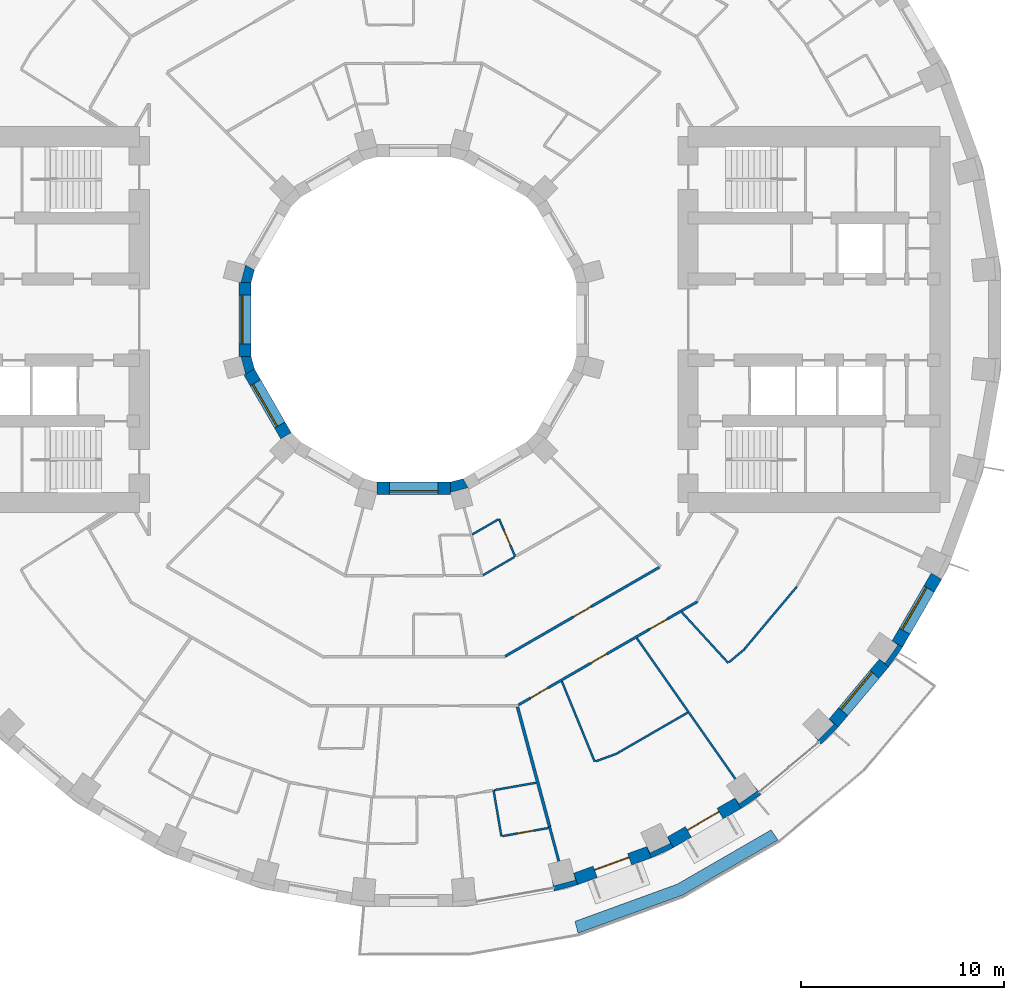
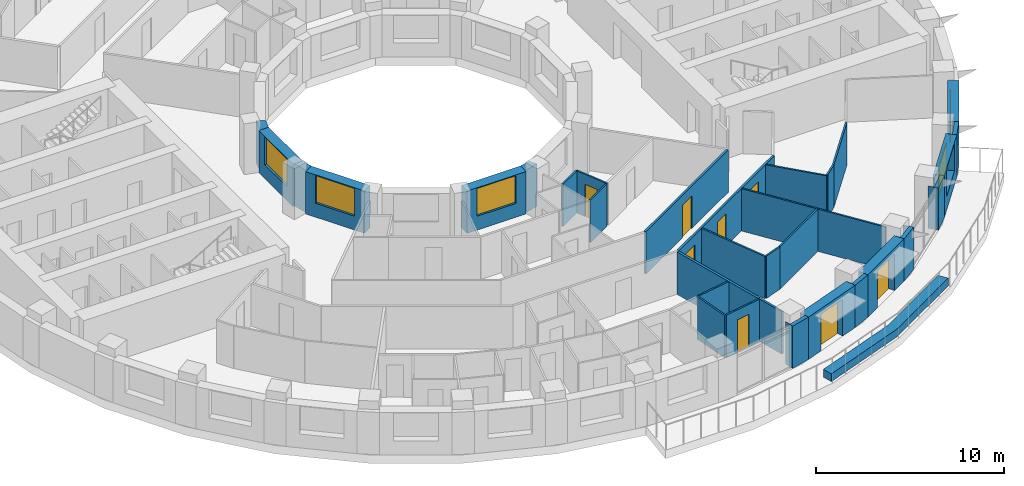
# One storey, part 8 of 16: 33 walls, 8 doors, 5 windows, 13 openings.
"""IFC4 building model written with IfcOpenShell, lengths in metres."""

from ifc_helpers import new_model, si_unit, direction, frame, frame_2d, origin, place, context, subcontext, project, spatial, polyline, rectangle, outline, extrude, material, layer, layer_set, type_object, element, fill, save


model = new_model("IFC4")

# Units and contexts
model_context = context("Model", 3, precision=1e-05, world=origin(), true_north=direction((0.0, 1.0)))
body_context = subcontext(model_context, "Body", "Model", "MODEL_VIEW")
ifc_project = project(units=[si_unit("LENGTHUNIT", "METRE"), si_unit("AREAUNIT", "SQUARE_METRE"), si_unit("VOLUMEUNIT", "CUBIC_METRE"), si_unit("PLANEANGLEUNIT", "RADIAN"), si_unit("MASSUNIT", "GRAM", prefix="KILO")], contexts=[model_context])

# Site, building, storey
site_placement = place(None, origin())
site = spatial("IfcSite", under=ifc_project, at=site_placement, CompositionType="ELEMENT")
building_placement = place(site_placement, origin())
building = spatial("IfcBuilding", under=site, at=building_placement, Name="Saqina Gate Tower", CompositionType="ELEMENT")
storey_placement = place(building_placement, frame((0.0, 0.0, 32.89990234375)))
storey = spatial("IfcBuildingStorey", under=building, at=storey_placement, Name="L08", CompositionType="ELEMENT", Elevation=32.89990234375)

# Walls
ifc_material_1 = material(Name="Brick masonry (red)", Category="masonry")
wall_type_1 = type_object("IfcWallType", Name="BRICK PIER COPING RED", PredefinedType="SOLIDWALL", material=ifc_material_1)
wall_1_placement = place(storey_placement, origin())
element("IfcWall", 1, at=wall_1_placement, inside=storey, type_object=wall_type_1, Name="Pier cap L08 column 29", PredefinedType="SOLIDWALL", context=body_context, shape_type="SweptSolid", body=[
    extrude(outline(polyline([(6.910400390625, -28.11669921875), (8.073974609375, -27.80517578125), (7.86865234375, -27.2412109375), (7.95947265625, -27.57958984375), (6.896728515625, -27.864501953125), (6.80615234375, -27.52587890625), (6.910400390625, -28.11669921875)])), origin(), (0.0, 0.0, 1.0), 2.75),
])
wall_2_placement = place(storey_placement, origin())
element("IfcWall", 2, at=wall_2_placement, inside=storey, type_object=wall_type_1, Name="Pier cap L08 column 30", PredefinedType="SOLIDWALL", context=body_context, shape_type="SweptSolid", body=[
    extrude(outline(polyline([(12.779541015625, -25.980712890625), (12.4794921875, -25.4609375), (12.627685546875, -25.778564453125), (11.630615234375, -26.243408203125), (11.482666015625, -25.92578125), (11.687744140625, -26.48974609375), (12.779541015625, -25.980712890625)])), origin(), (0.0, 0.0, 1.0), 2.75),
])
wall_3_placement = place(storey_placement, origin())
element("IfcWall", 3, at=wall_3_placement, inside=storey, type_object=wall_type_1, Name="Pier cap L08 column 31", PredefinedType="SOLIDWALL", context=body_context, shape_type="SweptSolid", body=[
    extrude(outline(polyline([(16.110107421875, -24.0576171875), (17.096923828125, -23.36669921875), (16.711181640625, -22.9072265625), (16.912109375, -23.194091796875), (16.010986328125, -23.8251953125), (15.81005859375, -23.5380859375), (16.110107421875, -24.0576171875)])), origin(), (0.0, 0.0, 1.0), 2.75),
])
wall_4_placement = place(storey_placement, origin())
element("IfcWall", 4, at=wall_4_placement, inside=storey, type_object=wall_type_1, Name="Pier cap L08 column 32", PredefinedType="SOLIDWALL", context=body_context, shape_type="SweptSolid", body=[
    extrude(outline(polyline([(20.894775390625, -20.04296875), (20.43505859375, -19.6572265625), (20.682861328125, -19.905029296875), (19.905029296875, -20.682861328125), (19.6572265625, -20.43505859375), (20.04296875, -20.894775390625), (20.894775390625, -20.04296875)])), origin(), (0.0, 0.0, 1.0), 2.75),
])
wall_5_placement = place(storey_placement, origin())
element("IfcWall", 5, at=wall_5_placement, inside=storey, type_object=wall_type_1, Name="Pier cap L08 column 33", PredefinedType="SOLIDWALL", context=body_context, shape_type="SweptSolid", body=[
    extrude(outline(polyline([(23.36669921875, -17.096923828125), (24.0576171875, -16.110107421875), (23.5380859375, -15.81005859375), (23.8251953125, -16.010986328125), (23.194091796875, -16.912109375), (22.9072265625, -16.711181640625), (23.36669921875, -17.096923828125)])), origin(), (0.0, 0.0, 1.0), 2.75),
])

# Wall, opening, door
ifc_material_2 = material(Name="Brick masonry (red)", Category="masonry")
ifc_layer_1 = layer(ifc_material_2, 0.60009765625)
ifc_layer_set_1 = layer_set([ifc_layer_1], Name="FW-BRICK-RED")
wall_type_2 = type_object("IfcWallType", Name="FW-BRICK-RED", PredefinedType="SOLIDWALL", material=ifc_layer_set_1)
wall_6_placement = place(storey_placement, frame((7.97119140625, -27.523193359375, 0.0), z_axis=(0.0, 0.0, 1.0), x_axis=(0.939689588564, 0.342028474173, 0.0)))
wall_6 = element("IfcWall", 6, at=wall_6_placement, inside=storey, type_object=wall_type_2, Name="Facade wall L08 facet 29", PredefinedType="SOLIDWALL", context=body_context, shape_type="SweptSolid", body=[
    extrude(rectangle(XDim=3.845947265625, YDim=0.60009765625, at=frame_2d((1.9228515625, 0.0))), origin(), (0.0, 0.0, 1.0), 2.75),
])
opening_1_placement = place(wall_6_placement, frame((1.02294921875, 0.0, 0.0)))
opening_1 = element("IfcOpeningElement", 7, at=opening_1_placement, cuts=wall_6, Name="Opening G01-D80", PredefinedType="OPENING", context=body_context, shape_type="SweptSolid", body=[
    extrude(rectangle(XDim=1.800048828125, YDim=2.39990234375, at=frame_2d((0.89990234375, 1.199951171875))), frame((0.0, 0.31201171875, 0.0), z_axis=(0.0, -1.0, 0.0), x_axis=(1.0, 0.0, 0.0)), (0.0, 0.0, 1.0), 0.6240234375),
])
ifc_material_3 = material(Name="Aluminium glazing", Category="aluminium")
door_type_1 = type_object("IfcDoorType", Name="GD-A", OperationType="DOUBLE_DOOR_SINGLE_SWING", PredefinedType="DOOR", material=ifc_material_3)
door_1_placement = place(opening_1_placement, frame((1.800048828125, 0.0, 0.0), z_axis=(0.0, 0.0, 1.0), x_axis=(-1.0, 0.0, 0.0)))
door_1 = element("IfcDoor", 8, at=door_1_placement, inside=storey, type_object=door_type_1, Name="Terrace door L08 facet 29", OperationType="DOUBLE_DOOR_SINGLE_SWING", OverallHeight=2.39990234375, OverallWidth=1.800048828125, PredefinedType="DOOR", context=body_context, shape_type="SweptSolid", body=[
    extrude(rectangle(XDim=1.800048828125, YDim=2.39990234375, at=frame_2d((0.89990234375, 1.199951171875))), frame((0.0, -0.0751953125, 0.0), z_axis=(0.0, -1.0, 0.0), x_axis=(1.0, 0.0, 0.0)), (0.0, 0.0, 1.0), 0.050048828125),
])
fill(opening_1, door_1)

wall_7_placement = place(storey_placement, frame((12.629638671875, -25.720703125, 0.0), z_axis=(0.0, 0.0, 1.0), x_axis=(0.86603124159, 0.499989888488, 0.0)))
wall_7 = element("IfcWall", 9, at=wall_7_placement, inside=storey, type_object=wall_type_2, Name="Facade wall L08 facet 30", PredefinedType="SOLIDWALL", context=body_context, shape_type="SweptSolid", body=[
    extrude(rectangle(XDim=3.845703125, YDim=0.60009765625, at=frame_2d((1.9228515625, 0.0))), origin(), (0.0, 0.0, 1.0), 2.75),
])
opening_2_placement = place(wall_7_placement, frame((1.02294921875, 0.0, 0.0)))
opening_2 = element("IfcOpeningElement", 10, at=opening_2_placement, cuts=wall_7, Name="Opening G01-D81", PredefinedType="OPENING", context=body_context, shape_type="SweptSolid", body=[
    extrude(rectangle(XDim=1.800048828125, YDim=2.39990234375, at=frame_2d((0.89990234375, 1.199951171875))), frame((0.0, 0.31201171875, 0.0), z_axis=(0.0, -1.0, 0.0), x_axis=(1.0, 0.0, 0.0)), (0.0, 0.0, 1.0), 0.6240234375),
])
door_2_placement = place(opening_2_placement, frame((1.800048828125, 0.0, 0.0), z_axis=(0.0, 0.0, 1.0), x_axis=(-1.0, 0.0, 0.0)))
door_2 = element("IfcDoor", 11, at=door_2_placement, inside=storey, type_object=door_type_1, Name="Terrace door L08 facet 30", OperationType="DOUBLE_DOOR_SINGLE_SWING", OverallHeight=2.39990234375, OverallWidth=1.800048828125, PredefinedType="DOOR", context=body_context, shape_type="SweptSolid", body=[
    extrude(rectangle(XDim=1.800048828125, YDim=2.39990234375, at=frame_2d((0.89990234375, 1.199951171875))), frame((0.0, -0.0751953125, 0.0), z_axis=(0.0, -1.0, 0.0), x_axis=(1.0, 0.0, 0.0)), (0.0, 0.0, 1.0), 0.050048828125),
])
fill(opening_2, door_2)

# Wall, opening, window
wall_8_placement = place(storey_placement, frame((20.664794921875, -19.85009765625, 0.0), z_axis=(0.0, 0.0, 1.0), x_axis=(0.642809392687, 0.766026164483, 0.0)))
wall_8 = element("IfcWall", 12, at=wall_8_placement, inside=storey, type_object=wall_type_2, Name="Facade wall L08 facet 32", PredefinedType="SOLIDWALL", context=body_context, shape_type="SweptSolid", body=[
    extrude(rectangle(XDim=3.845947265625, YDim=0.60009765625, at=frame_2d((1.9228515625, 0.0))), origin(), (0.0, 0.0, 1.0), 2.75),
])
opening_3_placement = place(wall_8_placement, frame((0.722900390625, 0.0, 0.89990234375)))
opening_3 = element("IfcOpeningElement", 13, at=opening_3_placement, cuts=wall_8, Name="Opening G01-W21", PredefinedType="OPENING", context=body_context, shape_type="SweptSolid", body=[
    extrude(rectangle(XDim=2.39990234375, YDim=1.800048828125, at=frame_2d((1.199951171875, 0.89990234375))), frame((0.0, 0.31201171875, 0.0), z_axis=(0.0, -1.0, 0.0), x_axis=(1.0, 0.0, 0.0)), (0.0, 0.0, 1.0), 0.6240234375),
])
ifc_material_4 = material(Name="Aluminium glazing", Category="aluminium")
window_type_1 = type_object("IfcWindowType", Name="WN-A", PartitioningType="SINGLE_PANEL", PredefinedType="WINDOW", material=ifc_material_4)
window_1_placement = place(opening_3_placement, origin())
window_1 = element("IfcWindow", 14, at=window_1_placement, inside=storey, type_object=window_type_1, Name="Window L08 facet 32", OverallHeight=1.800048828125, OverallWidth=2.39990234375, PartitioningType="SINGLE_PANEL", PredefinedType="WINDOW", context=body_context, shape_type="SweptSolid", body=[
    extrude(rectangle(XDim=2.39990234375, YDim=1.800048828125, at=frame_2d((1.199951171875, 0.89990234375))), frame((0.0, 0.179931640625, 0.0), z_axis=(0.0, -1.0, 0.0), x_axis=(1.0, 0.0, 0.0)), (0.0, 0.0, 1.0), 0.06005859375),
])
fill(opening_3, window_1)

wall_9_placement = place(storey_placement, frame((23.7978515625, -15.960205078125, 0.0), z_axis=(0.0, 0.0, 1.0), x_axis=(0.499989888488, 0.86603124159, 0.0)))
wall_9 = element("IfcWall", 15, at=wall_9_placement, inside=storey, type_object=wall_type_2, Name="Facade wall L08 facet 33", PredefinedType="SOLIDWALL", context=body_context, shape_type="SweptSolid", body=[
    extrude(rectangle(XDim=3.845703125, YDim=0.60009765625, at=frame_2d((1.9228515625, 0.0))), origin(), (0.0, 0.0, 1.0), 2.75),
])
opening_4_placement = place(wall_9_placement, frame((0.722900390625, 0.0, 0.89990234375)))
opening_4 = element("IfcOpeningElement", 16, at=opening_4_placement, cuts=wall_9, Name="Opening G01-W22", PredefinedType="OPENING", context=body_context, shape_type="SweptSolid", body=[
    extrude(rectangle(XDim=2.39990234375, YDim=1.800048828125, at=frame_2d((1.199951171875, 0.89990234375))), frame((0.0, 0.31201171875, 0.0), z_axis=(0.0, -1.0, 0.0), x_axis=(1.0, 0.0, 0.0)), (0.0, 0.0, 1.0), 0.6240234375),
])
window_2_placement = place(opening_4_placement, origin())
window_2 = element("IfcWindow", 17, at=window_2_placement, inside=storey, type_object=window_type_1, Name="Window L08 facet 33", OverallHeight=1.800048828125, OverallWidth=2.39990234375, PartitioningType="SINGLE_PANEL", PredefinedType="WINDOW", context=body_context, shape_type="SweptSolid", body=[
    extrude(rectangle(XDim=2.39990234375, YDim=1.800048828125, at=frame_2d((1.199951171875, 0.89990234375))), frame((0.0, 0.179931640625, 0.0), z_axis=(0.0, -1.0, 0.0), x_axis=(1.0, 0.0, 0.0)), (0.0, 0.0, 1.0), 0.06005859375),
])
fill(opening_4, window_2)

ifc_material_5 = material(Name="Glazed ceramic tile", Category="ceramic")
ifc_layer_2 = layer(ifc_material_5, 0.60009765625)
ifc_layer_set_2 = layer_set([ifc_layer_2], Name="IW-TILE")
wall_type_3 = type_object("IfcWallType", Name="IW-TILE", PredefinedType="SOLIDWALL", material=ifc_layer_set_2)
wall_10_placement = place(storey_placement, frame((-8.300048828125, 1.8125, 0.0), z_axis=(0.0, 0.0, 1.0), x_axis=(0.0, -1.0, 0.0)))
wall_10 = element("IfcWall", 18, at=wall_10_placement, inside=storey, type_object=wall_type_3, Name="Well wall L08 facet 6", PredefinedType="SOLIDWALL", context=body_context, shape_type="SweptSolid", body=[
    extrude(rectangle(XDim=3.625, YDim=0.60009765625, at=frame_2d((1.8125, 0.0))), origin(), (0.0, 0.0, 1.0), 2.75),
])
opening_5_placement = place(wall_10_placement, frame((0.612548828125, 0.0, 0.89990234375)))
opening_5 = element("IfcOpeningElement", 19, at=opening_5_placement, cuts=wall_10, Name="Opening G01-W28", PredefinedType="OPENING", context=body_context, shape_type="SweptSolid", body=[
    extrude(rectangle(XDim=2.39990234375, YDim=1.800048828125, at=frame_2d((1.199951171875, 0.89990234375))), frame((0.0, 0.31201171875, 0.0), z_axis=(0.0, -1.0, 0.0), x_axis=(1.0, 0.0, 0.0)), (0.0, 0.0, 1.0), 0.6240234375),
])
ifc_material_6 = material(Name="Aluminium glazing", Category="aluminium")
window_type_2 = type_object("IfcWindowType", Name="WN-W", PartitioningType="SINGLE_PANEL", PredefinedType="WINDOW", material=ifc_material_6)
window_3_placement = place(opening_5_placement, origin())
window_3 = element("IfcWindow", 20, at=window_3_placement, inside=storey, type_object=window_type_2, Name="Well window L08 facet 6", OverallHeight=1.800048828125, OverallWidth=2.39990234375, PartitioningType="SINGLE_PANEL", PredefinedType="WINDOW", context=body_context, shape_type="SweptSolid", body=[
    extrude(rectangle(XDim=2.39990234375, YDim=1.800048828125, at=frame_2d((1.199951171875, 0.89990234375))), frame((0.0, -0.119873046875, 0.0), z_axis=(0.0, -1.0, 0.0), x_axis=(1.0, 0.0, 0.0)), (0.0, 0.0, 1.0), 0.06005859375),
])
fill(opening_5, window_3)

wall_11_placement = place(storey_placement, frame((-8.09423828125, -2.580322265625, 0.0), z_axis=(0.0, 0.0, 1.0), x_axis=(0.499992569217, -0.866029693906, 0.0)))
wall_11 = element("IfcWall", 21, at=wall_11_placement, inside=storey, type_object=wall_type_3, Name="Well wall L08 facet 7", PredefinedType="SOLIDWALL", context=body_context, shape_type="SweptSolid", body=[
    extrude(rectangle(XDim=3.625, YDim=0.60009765625, at=frame_2d((1.8125, 0.0))), origin(), (0.0, 0.0, 1.0), 2.75),
])
opening_6_placement = place(wall_11_placement, frame((0.612548828125, 0.0, 0.89990234375)))
opening_6 = element("IfcOpeningElement", 22, at=opening_6_placement, cuts=wall_11, Name="Opening G01-W29", PredefinedType="OPENING", context=body_context, shape_type="SweptSolid", body=[
    extrude(rectangle(XDim=2.39990234375, YDim=1.800048828125, at=frame_2d((1.199951171875, 0.89990234375))), frame((0.0, 0.31201171875, 0.0), z_axis=(0.0, -1.0, 0.0), x_axis=(1.0, 0.0, 0.0)), (0.0, 0.0, 1.0), 0.6240234375),
])
window_4_placement = place(opening_6_placement, origin())
window_4 = element("IfcWindow", 23, at=window_4_placement, inside=storey, type_object=window_type_2, Name="Well window L08 facet 7", OverallHeight=1.800048828125, OverallWidth=2.39990234375, PartitioningType="SINGLE_PANEL", PredefinedType="WINDOW", context=body_context, shape_type="SweptSolid", body=[
    extrude(rectangle(XDim=2.39990234375, YDim=1.800048828125, at=frame_2d((1.199951171875, 0.89990234375))), frame((0.0, -0.119873046875, 0.0), z_axis=(0.0, -1.0, 0.0), x_axis=(1.0, 0.0, 0.0)), (0.0, 0.0, 1.0), 0.06005859375),
])
fill(opening_6, window_4)

wall_12_placement = place(storey_placement, frame((-1.8125, -8.300048828125, 0.0), z_axis=(0.0, 0.0, 1.0), x_axis=(1.0, 0.0, 0.0)))
wall_12 = element("IfcWall", 24, at=wall_12_placement, inside=storey, type_object=wall_type_3, Name="Well wall L08 facet 9", PredefinedType="SOLIDWALL", context=body_context, shape_type="SweptSolid", body=[
    extrude(rectangle(XDim=3.625, YDim=0.60009765625, at=frame_2d((1.8125, 0.0))), origin(), (0.0, 0.0, 1.0), 2.75),
])
opening_7_placement = place(wall_12_placement, frame((0.612548828125, 0.0, 0.89990234375)))
opening_7 = element("IfcOpeningElement", 25, at=opening_7_placement, cuts=wall_12, Name="Opening G01-W31", PredefinedType="OPENING", context=body_context, shape_type="SweptSolid", body=[
    extrude(rectangle(XDim=2.39990234375, YDim=1.800048828125, at=frame_2d((1.199951171875, 0.89990234375))), frame((0.0, 0.31201171875, 0.0), z_axis=(0.0, -1.0, 0.0), x_axis=(1.0, 0.0, 0.0)), (0.0, 0.0, 1.0), 0.6240234375),
])
window_5_placement = place(opening_7_placement, origin())
window_5 = element("IfcWindow", 26, at=window_5_placement, inside=storey, type_object=window_type_2, Name="Well window L08 facet 9", OverallHeight=1.800048828125, OverallWidth=2.39990234375, PartitioningType="SINGLE_PANEL", PredefinedType="WINDOW", context=body_context, shape_type="SweptSolid", body=[
    extrude(rectangle(XDim=2.39990234375, YDim=1.800048828125, at=frame_2d((1.199951171875, 0.89990234375))), frame((0.0, -0.119873046875, 0.0), z_axis=(0.0, -1.0, 0.0), x_axis=(1.0, 0.0, 0.0)), (0.0, 0.0, 1.0), 0.06005859375),
])
fill(opening_7, window_5)

# Walls
ifc_material_7 = material(Name="Gypsum board on steel studs, 100 mm", Category="steel")
ifc_layer_3 = layer(ifc_material_7, 0.10009765625)
ifc_layer_set_3 = layer_set([ifc_layer_3], Name="PARTITION 100")
wall_type_4 = type_object("IfcWallType", Name="PARTITION 100", PredefinedType="PARTITIONING", material=ifc_layer_set_3)
wall_13_placement = place(storey_placement, frame((3.930908203125, -23.158935546875, 0.0), z_axis=(0.0, 0.0, 1.0), x_axis=(0.167428328933, -0.985884250138, 0.0)))
element("IfcWall", 27, at=wall_13_placement, inside=storey, type_object=wall_type_4, Name="PARTITION PW3-10", PredefinedType="PARTITIONING", context=body_context, shape_type="SweptSolid", body=[
    extrude(rectangle(XDim=2.299560546875, YDim=0.10009765625, at=frame_2d((1.14990234375, 0.0))), origin(), (0.0, 0.0, 1.0), 2.75),
])
wall_14_placement = place(storey_placement, frame((7.290771484375, -17.8017578125, 0.0), z_axis=(0.0, 0.0, 1.0), x_axis=(0.378828684396, -0.925466816195, 0.0)))
element("IfcWall", 28, at=wall_14_placement, inside=storey, type_object=wall_type_4, Name="PARTITION PW3-18", PredefinedType="PARTITIONING", context=body_context, shape_type="SweptSolid", body=[
    extrude(rectangle(XDim=4.271484375, YDim=0.10009765625, at=frame_2d((2.1357421875, 0.0))), origin(), (0.0, 0.0, 1.0), 2.75),
])

# Wall, opening, door
wall_15_placement = place(storey_placement, frame((4.202880859375, -9.81298828125, 0.0), z_axis=(0.0, 0.0, 1.0), x_axis=(0.39369991752, -0.919239019485, 0.0)))
wall_15 = element("IfcWall", 29, at=wall_15_placement, inside=storey, type_object=wall_type_4, Name="PARTITION PW3-20", PredefinedType="PARTITIONING", context=body_context, shape_type="SweptSolid", body=[
    extrude(rectangle(XDim=2.0146484375, YDim=0.10009765625, at=frame_2d((1.00732421875, 0.0))), origin(), (0.0, 0.0, 1.0), 2.75),
])
opening_8_placement = place(wall_15_placement, frame((0.607421875, 0.0, 0.0)))
opening_8 = element("IfcOpeningElement", 30, at=opening_8_placement, cuts=wall_15, Name="Opening G01-D62", PredefinedType="OPENING", context=body_context, shape_type="SweptSolid", body=[
    extrude(rectangle(XDim=0.800048828125, YDim=2.10009765625, at=frame_2d((0.39990234375, 1.050048828125))), frame((0.0, 0.06201171875, 0.0), z_axis=(0.0, -1.0, 0.0), x_axis=(1.0, 0.0, 0.0)), (0.0, 0.0, 1.0), 0.1240234375),
])
ifc_material_8 = material(Name="Timber door leaf, 800 mm", Category="wood")
door_type_2 = type_object("IfcDoorType", Name="DOOR 800 TIMBER", OperationType="SINGLE_SWING_LEFT", PredefinedType="DOOR", material=ifc_material_8)
door_3_placement = place(opening_8_placement, origin())
door_3 = element("IfcDoor", 31, at=door_3_placement, inside=storey, type_object=door_type_2, Name="DOOR G01-D62", OperationType="SINGLE_SWING_RIGHT", OverallHeight=2.10009765625, OverallWidth=0.800048828125, PredefinedType="DOOR", context=body_context, shape_type="SweptSolid", body=[
    extrude(rectangle(XDim=0.800048828125, YDim=2.10009765625, at=frame_2d((0.39990234375, 1.050048828125))), frame((0.0, 0.02490234375, 0.0), z_axis=(0.0, -1.0, 0.0), x_axis=(1.0, 0.0, 0.0)), (0.0, 0.0, 1.0), 0.050048828125),
])
fill(opening_8, door_3)

# Walls
wall_16_placement = place(storey_placement, frame((10.975830078125, -15.67431640625, 0.0), z_axis=(0.0, 0.0, 1.0), x_axis=(0.573553424511, -0.819168156872, 0.0)))
element("IfcWall", 32, at=wall_16_placement, inside=storey, type_object=wall_type_4, Name="PARTITION PW3-27", PredefinedType="PARTITIONING", context=body_context, shape_type="SweptSolid", body=[
    extrude(rectangle(XDim=8.454833984375, YDim=0.10009765625, at=frame_2d((4.2275390625, 0.0))), origin(), (0.0, 0.0, 1.0), 2.75),
])
wall_17_placement = place(storey_placement, frame((13.187255859375, -14.396240234375, 0.0), z_axis=(0.0, 0.0, 1.0), x_axis=(0.675447264994, -0.737408294103, 0.0)))
element("IfcWall", 33, at=wall_17_placement, inside=storey, type_object=wall_type_4, Name="PARTITION PW3-32", PredefinedType="PARTITIONING", context=body_context, shape_type="SweptSolid", body=[
    extrude(rectangle(XDim=3.388671875, YDim=0.10009765625, at=frame_2d((1.6943359375, 0.0))), origin(), (0.0, 0.0, 1.0), 2.75),
])

# Wall, opening, door
wall_18_placement = place(storey_placement, frame((4.365234375, -25.417236328125, 0.0), z_axis=(0.0, 0.0, 1.0), x_axis=(0.984839942107, 0.173465525191, 0.0)))
wall_18 = element("IfcWall", 34, at=wall_18_placement, inside=storey, type_object=wall_type_4, Name="PARTITION PW3-67", PredefinedType="PARTITIONING", context=body_context, shape_type="SweptSolid", body=[
    extrude(rectangle(XDim=2.30810546875, YDim=0.10009765625, at=frame_2d((1.154052734375, 0.0))), origin(), (0.0, 0.0, 1.0), 2.75),
])
opening_9_placement = place(wall_18_placement, frame((0.760498046875, 0.0, 0.0)))
opening_9 = element("IfcOpeningElement", 35, at=opening_9_placement, cuts=wall_18, Name="Opening G01-D60", PredefinedType="OPENING", context=body_context, shape_type="SweptSolid", body=[
    extrude(rectangle(XDim=0.800048828125, YDim=2.10009765625, at=frame_2d((0.39990234375, 1.050048828125))), frame((0.0, 0.06201171875, 0.0), z_axis=(0.0, -1.0, 0.0), x_axis=(1.0, 0.0, 0.0)), (0.0, 0.0, 1.0), 0.1240234375),
])
door_4_placement = place(opening_9_placement, frame((0.800048828125, 0.0, 0.0), z_axis=(0.0, 0.0, 1.0), x_axis=(-1.0, 0.0, 0.0)))
door_4 = element("IfcDoor", 36, at=door_4_placement, inside=storey, type_object=door_type_2, Name="DOOR G01-D60", OperationType="SINGLE_SWING_LEFT", OverallHeight=2.10009765625, OverallWidth=0.800048828125, PredefinedType="DOOR", context=body_context, shape_type="SweptSolid", body=[
    extrude(rectangle(XDim=0.800048828125, YDim=2.10009765625, at=frame_2d((0.39990234375, 1.050048828125))), frame((0.0, 0.02490234375, 0.0), z_axis=(0.0, -1.0, 0.0), x_axis=(1.0, 0.0, 0.0)), (0.0, 0.0, 1.0), 0.050048828125),
])
fill(opening_9, door_4)

# Walls
wall_19_placement = place(storey_placement, frame((3.980224609375, -23.150390625, 0.0), z_axis=(0.0, 0.0, 1.0), x_axis=(0.98480245503, 0.173678221335, 0.0)))
element("IfcWall", 37, at=wall_19_placement, inside=storey, type_object=wall_type_4, Name="PARTITION PW3-68", PredefinedType="PARTITIONING", context=body_context, shape_type="SweptSolid", body=[
    extrude(rectangle(XDim=2.08056640625, YDim=0.10009765625, at=frame_2d((1.040283203125, 0.0))), origin(), (0.0, 0.0, 1.0), 2.75),
])
wall_20_placement = place(storey_placement, frame((8.9560546875, -21.73779296875, 0.0), z_axis=(0.0, 0.0, 1.0), x_axis=(0.939501535219, 0.342544690983, 0.0)))
element("IfcWall", 38, at=wall_20_placement, inside=storey, type_object=wall_type_4, Name="PARTITION PW3-72", PredefinedType="PARTITIONING", context=body_context, shape_type="SweptSolid", body=[
    extrude(rectangle(XDim=1.124755859375, YDim=0.10009765625, at=frame_2d((0.5625, 0.0))), origin(), (0.0, 0.0, 1.0), 2.75),
])
wall_21_placement = place(storey_placement, frame((10.00830078125, -21.344970703125, 0.0), z_axis=(0.0, 0.0, 1.0), x_axis=(0.866077124662, 0.49991040611, 0.0)))
element("IfcWall", 39, at=wall_21_placement, inside=storey, type_object=wall_type_4, Name="PARTITION PW3-75", PredefinedType="PARTITIONING", context=body_context, shape_type="SweptSolid", body=[
    extrude(rectangle(XDim=4.010498046875, YDim=0.10009765625, at=frame_2d((2.00537109375, 0.0))), origin(), (0.0, 0.0, 1.0), 2.75),
])
wall_22_placement = place(storey_placement, frame((3.419189453125, -12.574951171875, 0.0), z_axis=(0.0, 0.0, 1.0), x_axis=(0.86610522661, 0.499861717316, 0.0)))
element("IfcWall", 40, at=wall_22_placement, inside=storey, type_object=wall_type_4, Name="PARTITION PW3-76", PredefinedType="PARTITIONING", context=body_context, shape_type="SweptSolid", body=[
    extrude(rectangle(XDim=1.7705078125, YDim=0.10009765625, at=frame_2d((0.88525390625, 0.0))), origin(), (0.0, 0.0, 1.0), 2.75),
])
wall_23_placement = place(storey_placement, frame((2.88330078125, -10.574951171875, 0.0), z_axis=(0.0, 0.0, 1.0), x_axis=(0.865981447571, 0.500076126667, 0.0)))
element("IfcWall", 41, at=wall_23_placement, inside=storey, type_object=wall_type_4, Name="PARTITION PW3-77", PredefinedType="PARTITIONING", context=body_context, shape_type="SweptSolid", body=[
    extrude(rectangle(XDim=1.473876953125, YDim=0.10009765625, at=frame_2d((0.73681640625, 0.0))), origin(), (0.0, 0.0, 1.0), 2.75),
])
wall_24_placement = place(storey_placement, frame((15.51416015625, -16.86279296875, 0.0), z_axis=(0.0, 0.0, 1.0), x_axis=(0.765614200219, 0.643300004992, 0.0)))
element("IfcWall", 42, at=wall_24_placement, inside=storey, type_object=wall_type_4, Name="PARTITION PW3-86", PredefinedType="PARTITIONING", context=body_context, shape_type="SweptSolid", body=[
    extrude(rectangle(XDim=1.008056640625, YDim=0.10009765625, at=frame_2d((0.50390625, 0.0))), origin(), (0.0, 0.0, 1.0), 2.75),
])
wall_25_placement = place(storey_placement, frame((16.279052734375, -16.208740234375, 0.0), z_axis=(0.0, 0.0, 1.0), x_axis=(0.642907640475, 0.765943709302, 0.0)))
element("IfcWall", 43, at=wall_25_placement, inside=storey, type_object=wall_type_4, Name="PARTITION PW3-92", PredefinedType="PARTITIONING", context=body_context, shape_type="SweptSolid", body=[
    extrude(rectangle(XDim=4.00634765625, YDim=0.10009765625, at=frame_2d((2.003173828125, 0.0))), origin(), (0.0, 0.0, 1.0), 2.75),
])
ifc_material_9 = material(Name="Gypsum board on steel studs, 125 mm, fire rated", Category="steel")
ifc_layer_4 = layer(ifc_material_9, 0.125)
ifc_layer_set_4 = layer_set([ifc_layer_4], Name="PARTITION EI 30 125")
wall_type_5 = type_object("IfcWallType", Name="PARTITION EI 30 125", PredefinedType="PARTITIONING", material=ifc_layer_set_4)
wall_26_placement = place(storey_placement, frame((6.68408203125, -24.945556640625, 0.0), z_axis=(0.0, 0.0, 1.0), x_axis=(0.259005792565, -0.965875768108, 0.0)))
element("IfcWall", 44, at=wall_26_placement, inside=storey, type_object=wall_type_5, Name="PARTITION PW1-01", PredefinedType="PARTITIONING", context=body_context, shape_type="SweptSolid", body=[
    extrude(rectangle(XDim=1.7646484375, YDim=0.125, at=frame_2d((0.88232421875, 0.0))), origin(), (0.0, 0.0, 1.0), 2.75),
])

# Wall, openings, doors
wall_27_placement = place(storey_placement, frame((5.156005859375, -18.96240234375, 0.0), z_axis=(0.0, 0.0, 1.0), x_axis=(0.86602502492, 0.500000656212, 0.0)))
wall_27 = element("IfcWall", 45, at=wall_27_placement, inside=storey, type_object=wall_type_5, Name="PARTITION PW1-37", PredefinedType="PARTITIONING", context=body_context, shape_type="SweptSolid", body=[
    extrude(rectangle(XDim=10.17919921875, YDim=0.125, at=frame_2d((5.089599609375, 0.0))), origin(), (0.0, 0.0, 1.0), 2.75),
])
opening_10_placement = place(wall_27_placement, frame((0.68115234375, 0.0, 0.0)))
opening_10 = element("IfcOpeningElement", 46, at=opening_10_placement, cuts=wall_27, Name="Opening G01-D61", PredefinedType="OPENING", context=body_context, shape_type="SweptSolid", body=[
    extrude(rectangle(XDim=1.0, YDim=2.10009765625, at=frame_2d((0.5, 1.050048828125))), frame((0.0, 0.074462890625, 0.0), z_axis=(0.0, -1.0, 0.0), x_axis=(1.0, 0.0, 0.0)), (0.0, 0.0, 1.0), 0.14892578125),
])
opening_11_placement = place(wall_27_placement, frame((4.108154296875, 0.0, 0.0)))
opening_11 = element("IfcOpeningElement", 47, at=opening_11_placement, cuts=wall_27, Name="Opening G01-D63", PredefinedType="OPENING", context=body_context, shape_type="SweptSolid", body=[
    extrude(rectangle(XDim=0.89990234375, YDim=2.10009765625, at=frame_2d((0.449951171875, 1.050048828125))), frame((0.0, 0.074462890625, 0.0), z_axis=(0.0, -1.0, 0.0), x_axis=(1.0, 0.0, 0.0)), (0.0, 0.0, 1.0), 0.14892578125),
])
opening_12_placement = place(wall_27_placement, frame((7.451904296875, 0.0, 0.0)))
opening_12 = element("IfcOpeningElement", 48, at=opening_12_placement, cuts=wall_27, Name="Opening G01-D66", PredefinedType="OPENING", context=body_context, shape_type="SweptSolid", body=[
    extrude(rectangle(XDim=1.0, YDim=2.10009765625, at=frame_2d((0.5, 1.050048828125))), frame((0.0, 0.074462890625, 0.0), z_axis=(0.0, -1.0, 0.0), x_axis=(1.0, 0.0, 0.0)), (0.0, 0.0, 1.0), 0.14892578125),
])
ifc_material_10 = material(Name="Fire door leaf EI 30, 1000 mm")
door_type_3 = type_object("IfcDoorType", Name="DOOR 1000 EI 30", OperationType="SINGLE_SWING_LEFT", PredefinedType="DOOR", material=ifc_material_10)
door_5_placement = place(opening_10_placement, frame((1.0, 0.0, 0.0), z_axis=(0.0, 0.0, 1.0), x_axis=(-1.0, 0.0, 0.0)))
door_5 = element("IfcDoor", 49, at=door_5_placement, inside=storey, type_object=door_type_3, Name="DOOR G01-D61", OperationType="SINGLE_SWING_LEFT", OverallHeight=2.10009765625, OverallWidth=1.0, PredefinedType="DOOR", context=body_context, shape_type="SweptSolid", body=[
    extrude(rectangle(XDim=1.0, YDim=2.10009765625, at=frame_2d((0.5, 1.050048828125))), frame((0.0, 0.02490234375, 0.0), z_axis=(0.0, -1.0, 0.0), x_axis=(1.0, 0.0, 0.0)), (0.0, 0.0, 1.0), 0.050048828125),
])
fill(opening_10, door_5)
door_6_placement = place(opening_12_placement, origin())
door_6 = element("IfcDoor", 50, at=door_6_placement, inside=storey, type_object=door_type_3, Name="DOOR G01-D66", OperationType="SINGLE_SWING_RIGHT", OverallHeight=2.10009765625, OverallWidth=1.0, PredefinedType="DOOR", context=body_context, shape_type="SweptSolid", body=[
    extrude(rectangle(XDim=1.0, YDim=2.10009765625, at=frame_2d((0.5, 1.050048828125))), frame((0.0, 0.02490234375, 0.0), z_axis=(0.0, -1.0, 0.0), x_axis=(1.0, 0.0, 0.0)), (0.0, 0.0, 1.0), 0.050048828125),
])
fill(opening_12, door_6)
ifc_material_11 = material(Name="Fire door leaf EI 30, 900 mm")
door_type_4 = type_object("IfcDoorType", Name="DOOR 900 EI 30", OperationType="SINGLE_SWING_LEFT", PredefinedType="DOOR", material=ifc_material_11)
door_7_placement = place(opening_11_placement, frame((0.89990234375, 0.0, 0.0), z_axis=(0.0, 0.0, 1.0), x_axis=(-1.0, 0.0, 0.0)))
door_7 = element("IfcDoor", 51, at=door_7_placement, inside=storey, type_object=door_type_4, Name="DOOR G01-D63", OperationType="SINGLE_SWING_RIGHT", OverallHeight=2.10009765625, OverallWidth=0.89990234375, PredefinedType="DOOR", context=body_context, shape_type="SweptSolid", body=[
    extrude(rectangle(XDim=0.89990234375, YDim=2.10009765625, at=frame_2d((0.449951171875, 1.050048828125))), frame((0.0, 0.02490234375, 0.0), z_axis=(0.0, -1.0, 0.0), x_axis=(1.0, 0.0, 0.0)), (0.0, 0.0, 1.0), 0.050048828125),
])
fill(opening_11, door_7)

# Wall, opening, door
wall_28_placement = place(storey_placement, frame((4.502197265625, -16.56884765625, 0.0), z_axis=(0.0, 0.0, 1.0), x_axis=(0.8660196372, 0.500009987883, 0.0)))
wall_28 = element("IfcWall", 52, at=wall_28_placement, inside=storey, type_object=wall_type_5, Name="PARTITION PW1-38", PredefinedType="PARTITIONING", context=body_context, shape_type="SweptSolid", body=[
    extrude(rectangle(XDim=8.770751953125, YDim=0.125, at=frame_2d((4.38525390625, 0.0))), origin(), (0.0, 0.0, 1.0), 2.75),
])
opening_13_placement = place(wall_28_placement, frame((3.885498046875, 0.0, 0.0)))
opening_13 = element("IfcOpeningElement", 53, at=opening_13_placement, cuts=wall_28, Name="Opening G01-D64", PredefinedType="OPENING", context=body_context, shape_type="SweptSolid", body=[
    extrude(rectangle(XDim=1.0, YDim=2.10009765625, at=frame_2d((0.5, 1.050048828125))), frame((0.0, 0.074462890625, 0.0), z_axis=(0.0, -1.0, 0.0), x_axis=(1.0, 0.0, 0.0)), (0.0, 0.0, 1.0), 0.14892578125),
])
door_8_placement = place(opening_13_placement, origin())
door_8 = element("IfcDoor", 54, at=door_8_placement, inside=storey, type_object=door_type_3, Name="DOOR G01-D64", OperationType="SINGLE_SWING_LEFT", OverallHeight=2.10009765625, OverallWidth=1.0, PredefinedType="DOOR", context=body_context, shape_type="SweptSolid", body=[
    extrude(rectangle(XDim=1.0, YDim=2.10009765625, at=frame_2d((0.5, 1.050048828125))), frame((0.0, 0.02490234375, 0.0), z_axis=(0.0, -1.0, 0.0), x_axis=(1.0, 0.0, 0.0)), (0.0, 0.0, 1.0), 0.050048828125),
])
fill(opening_13, door_8)

# Walls
ifc_material_12 = material(Name="Gypsum board on steel studs, 150 mm, fire rated", Category="steel")
ifc_layer_5 = layer(ifc_material_12, 0.14990234375)
ifc_layer_set_5 = layer_set([ifc_layer_5], Name="PARTITION EI 60 150")
wall_type_6 = type_object("IfcWallType", Name="PARTITION EI 60 150", PredefinedType="PARTITIONING", material=ifc_layer_set_5)
wall_29_placement = place(storey_placement, frame((5.107177734375, -19.060302734375, 0.0), z_axis=(0.0, 0.0, 1.0), x_axis=(0.259056540545, -0.965862158282, 0.0)))
element("IfcWall", 55, at=wall_29_placement, inside=storey, type_object=wall_type_6, Name="PARTITION PW2-01", PredefinedType="PARTITIONING", context=body_context, shape_type="SweptSolid", body=[
    extrude(rectangle(XDim=6.0927734375, YDim=0.14990234375, at=frame_2d((3.04638671875, 0.0))), origin(), (0.0, 0.0, 1.0), 2.75),
])
ifc_material_13 = material(Name="Brick masonry (red)", Category="masonry")
ifc_layer_6 = layer(ifc_material_13, 0.60009765625)
ifc_layer_set_6 = layer_set([ifc_layer_6], Name="PL-PLANTER")
wall_type_7 = type_object("IfcWallType", Name="PL-PLANTER", PredefinedType="PARAPET", material=ifc_layer_set_6)
wall_30_placement = place(storey_placement, origin())
element("IfcWall", 56, at=wall_30_placement, inside=storey, type_object=wall_type_7, Name="Planter L08", PredefinedType="PARAPET", context=body_context, shape_type="SweptSolid", body=[
    extrude(outline(polyline([(8.09033203125, -30.193603515625), (13.21044921875, -28.329833984375), (17.92919921875, -25.60546875), (17.583740234375, -25.1123046875), (12.955810546875, -27.783935546875), (7.934326171875, -29.61181640625), (8.09033203125, -30.193603515625)])), origin(), (0.0, 0.0, 1.0), 0.5),
])
ifc_material_14 = material(Name="Glazed ceramic tile", Category="ceramic")
wall_type_8 = type_object("IfcWallType", Name="TILE PIER COPING", PredefinedType="SOLIDWALL", material=ifc_material_14)
wall_31_placement = place(storey_placement, origin())
element("IfcWall", 57, at=wall_31_placement, inside=storey, type_object=wall_type_8, Name="Well pier cap L08 column 6", PredefinedType="SOLIDWALL", context=body_context, shape_type="SweptSolid", body=[
    extrude(outline(polyline([(-8.502685546875, 1.8125), (-8.0, 1.8125), (-7.83447265625, 2.430419921875), (-8.27001953125, 2.681884765625), (-8.502685546875, 1.8125)])), origin(), (0.0, 0.0, 1.0), 2.75),
])
wall_32_placement = place(storey_placement, origin())
element("IfcWall", 58, at=wall_32_placement, inside=storey, type_object=wall_type_8, Name="Well pier cap L08 column 7", PredefinedType="SOLIDWALL", context=body_context, shape_type="SweptSolid", body=[
    extrude(outline(polyline([(-8.27001953125, -2.681884765625), (-7.83447265625, -2.430419921875), (-8.0, -1.8125), (-8.502685546875, -1.8125), (-8.27001953125, -2.681884765625)])), origin(), (0.0, 0.0, 1.0), 2.75),
])
wall_33_placement = place(storey_placement, origin())
element("IfcWall", 59, at=wall_33_placement, inside=storey, type_object=wall_type_8, Name="Well pier cap L08 column 10", PredefinedType="SOLIDWALL", context=body_context, shape_type="SweptSolid", body=[
    extrude(outline(polyline([(2.681884765625, -8.27001953125), (2.430419921875, -7.83447265625), (1.8125, -8.0), (1.8125, -8.502685546875), (2.681884765625, -8.27001953125)])), origin(), (0.0, 0.0, 1.0), 2.75),
])

save(model, "model.ifc")
